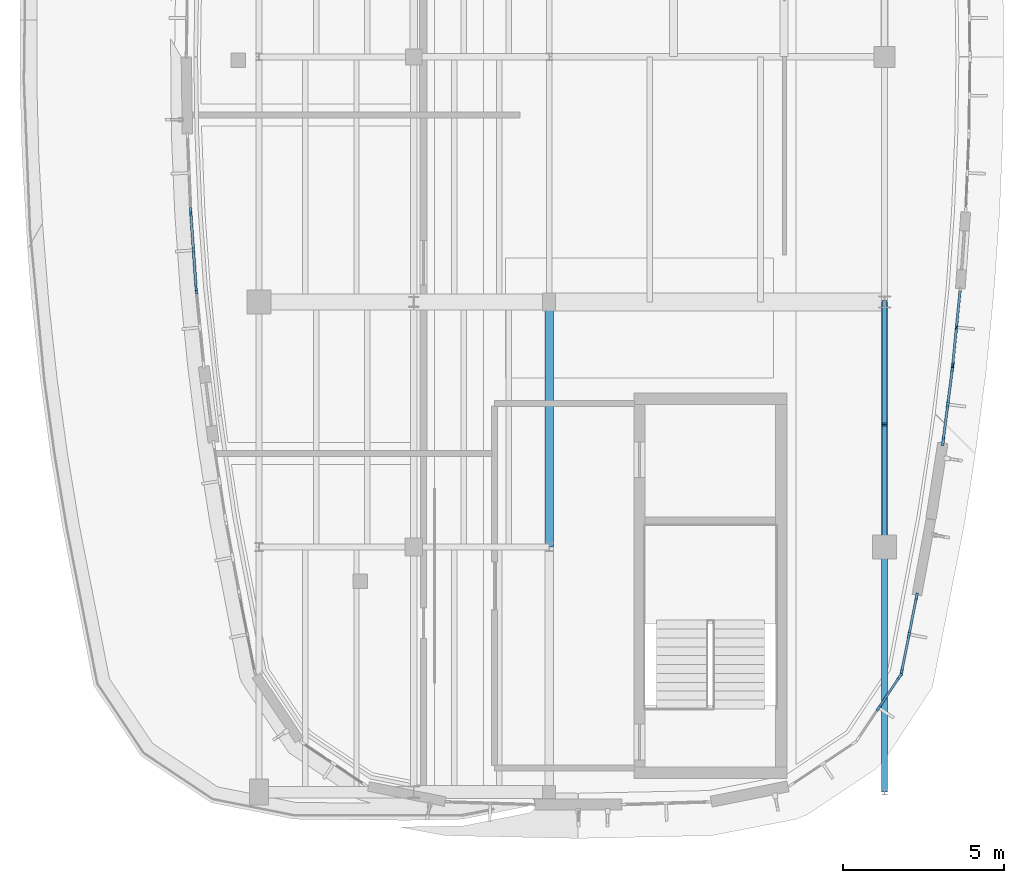
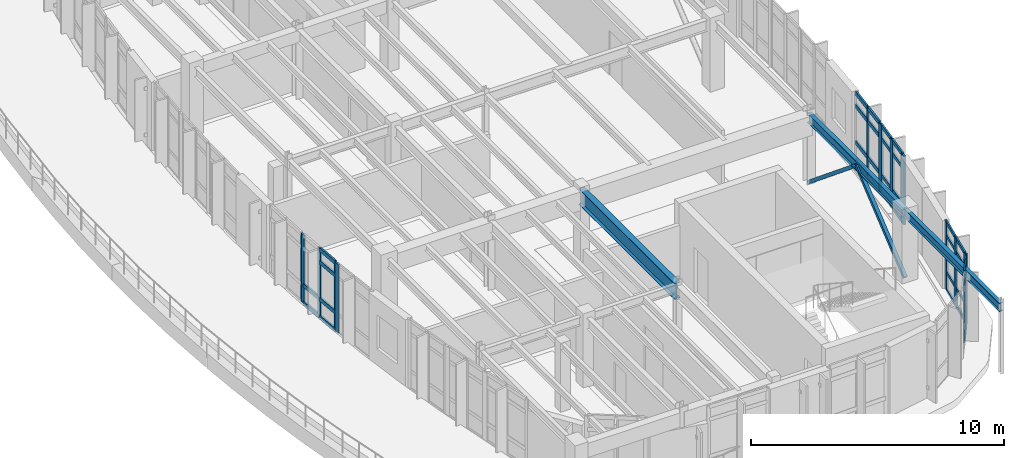
# One storey, part 6 of 20: 51 members, 3 beams, 7 elements without a shape of their own.
"""IFC4 building model written with IfcOpenShell, lengths in metres."""

from ifc_helpers import new_model, si_unit, direction, frame, origin, origin_2d, place, context, subcontext, project, spatial, rectangle, hollow_rectangle, i_section, extrude, material, material_profile, profile_set, type_object, element, aggregate, save


model = new_model("IFC4")

# Units and contexts
model_context = context("Model", 3, precision=1e-05, world=origin(), true_north=direction((0.0, 1.0)))
body_context = subcontext(model_context, "Body", "Model", "MODEL_VIEW")
ifc_project = project(units=[si_unit("LENGTHUNIT", "METRE"), si_unit("AREAUNIT", "SQUARE_METRE"), si_unit("VOLUMEUNIT", "CUBIC_METRE"), si_unit("PLANEANGLEUNIT", "RADIAN"), si_unit("MASSUNIT", "GRAM", prefix="KILO")], contexts=[model_context])

# Site, building, storey
site_placement = place(None, origin())
site = spatial("IfcSite", under=ifc_project, at=site_placement, CompositionType="ELEMENT")
building_placement = place(site_placement, origin())
building = spatial("IfcBuilding", under=site, at=building_placement, Name="Corveleigh Park Community Centre", CompositionType="ELEMENT")
storey_placement = place(building_placement, frame((0.0, 0.0, 16.199951171875)))
storey = spatial("IfcBuildingStorey", under=building, at=storey_placement, Name="L04", CompositionType="ELEMENT", Elevation=16.199951171875)

# Beams
ifc_material_1 = material(Name="Steel S355", Category="steel")
ifc_material_profile_1 = material_profile(ifc_material_1, i_section(OverallWidth=0.179443359375, OverallDepth=0.412841796875, WebThickness=0.009521484375, FlangeThickness=0.01611328125, at=origin_2d()), Name="UKB 406x178x74", Category="steel")
ifc_profile_set_1 = profile_set([ifc_material_profile_1], Name="Steel S355")
beam_type_1 = type_object("IfcBeamType", Name="BM-STL-UKB406x74", PredefinedType="BEAM", material=ifc_profile_set_1)
beam_1_placement = place(storey_placement, frame((168.39990234375, 58.60498046875, 3.16552734375), z_axis=(0.0, 1.0, 0.0), x_axis=(-1.0, 0.0, 0.0)))
element("IfcBeam", 1, at=beam_1_placement, inside=storey, type_object=beam_type_1, Name="V4 Girder Y", PredefinedType="BEAM", context=body_context, shape_type="SweptSolid", body=[
    extrude(i_section(OverallWidth=0.179443359375, OverallDepth=0.412841796875, WebThickness=0.009521484375, FlangeThickness=0.01611328125, at=origin_2d()), origin(), (0.0, 0.0, 1.0), 7.590087890625),
])
ifc_material_profile_2 = material_profile(ifc_material_1, i_section(OverallWidth=0.18994140625, OverallDepth=0.453369140625, WebThickness=0.008544921875, FlangeThickness=0.0126953125, at=origin_2d()), Name="UKB 457x191x67", Category="steel")
ifc_profile_set_2 = profile_set([ifc_material_profile_2], Name="Steel S355")
beam_type_2 = type_object("IfcBeamType", Name="BM-STL-UKB457x67", PredefinedType="BEAM", material=ifc_profile_set_2)
beam_2_placement = place(storey_placement, frame((168.39990234375, 66.205078125, 3.145263671875), z_axis=(0.0, 1.0, 0.0), x_axis=(-1.0, 0.0, 0.0)))
element("IfcBeam", 2, at=beam_2_placement, inside=storey, type_object=beam_type_2, Name="V4 Girder Y", PredefinedType="BEAM", context=body_context, shape_type="SweptSolid", body=[
    extrude(i_section(OverallWidth=0.18994140625, OverallDepth=0.453369140625, WebThickness=0.008544921875, FlangeThickness=0.0126953125, at=origin_2d()), origin(), (0.0, 0.0, 1.0), 7.58984375),
])
ifc_material_profile_3 = material_profile(ifc_material_1, i_section(OverallWidth=0.2666015625, OverallDepth=0.76220703125, WebThickness=0.014404296875, FlangeThickness=0.021484375, at=origin_2d()), Name="UKB 762x267x173", Category="steel")
ifc_profile_set_3 = profile_set([ifc_material_profile_3], Name="Steel S355")
beam_type_3 = type_object("IfcBeamType", Name="BM-STL-UKB762x173", PredefinedType="BEAM", material=ifc_profile_set_3)
beam_3_placement = place(storey_placement, frame((158.0, 66.205078125, 2.990966796875), z_axis=(0.0, 1.0, 0.0), x_axis=(-1.0, 0.0, 0.0)))
element("IfcBeam", 3, at=beam_3_placement, inside=storey, type_object=beam_type_3, Name="V4 Girder Y", PredefinedType="BEAM", context=body_context, shape_type="SweptSolid", body=[
    extrude(i_section(OverallWidth=0.2666015625, OverallDepth=0.76220703125, WebThickness=0.014404296875, FlangeThickness=0.021484375, at=origin_2d()), origin(), (0.0, 0.0, 1.0), 7.58984375),
])

# Curtain wall, members
ifc_material_2 = material(Name="Anodised aluminium 6063-T6", Category="aluminium")
curtain_wall_type = type_object("IfcCurtainWallType", Name="CW-SYS-V4-L03", PredefinedType="NOTDEFINED", material=ifc_material_2)
curtain_wall_1_placement = place(storey_placement, origin())
curtain_wall_1 = element("IfcCurtainWall", 4, at=curtain_wall_1_placement, inside=storey, type_object=curtain_wall_type, Name="V4 L04 Curtain Wall 445", PredefinedType="NOTDEFINED")
ifc_material_profile_4 = material_profile(ifc_material_2, rectangle(XDim=0.06005859375, YDim=0.159912109375, at=origin_2d()), Name="ALU-M60x160", Category="aluminium")
ifc_profile_set_4 = profile_set([ifc_material_profile_4], Name="Anodised aluminium 6063-T6")
member_type_1 = type_object("IfcMemberType", Name="CWM-60x160", PredefinedType="MULLION", material=ifc_profile_set_4)
member_1_placement = place(storey_placement, frame((170.6298828125, 73.010009765625, 0.0), z_axis=(0.0, 0.0, 1.0), x_axis=(0.995169228615, -0.098174367416, 0.0)))
member_1 = element("IfcMember", 5, at=member_1_placement, type_object=member_type_1, Name="CW09 mullion 2", PredefinedType="MULLION", context=body_context, shape_type="SweptSolid", body=[
    extrude(rectangle(XDim=0.06005859375, YDim=0.159912109375, at=origin_2d()), origin(), (0.0, 0.0, 1.0), 3.31201171875),
])
member_2_placement = place(storey_placement, frame((170.515869140625, 71.853759765625, 0.0), z_axis=(0.0, 0.0, 1.0), x_axis=(0.995169228615, -0.098174367416, 0.0)))
member_2 = element("IfcMember", 6, at=member_2_placement, type_object=member_type_1, Name="CW09 mullion 3", PredefinedType="MULLION", context=body_context, shape_type="SweptSolid", body=[
    extrude(rectangle(XDim=0.06005859375, YDim=0.159912109375, at=origin_2d()), origin(), (0.0, 0.0, 1.0), 3.31201171875),
])

# Curtain wall, member
curtain_wall_2_placement = place(storey_placement, origin())
curtain_wall_2 = element("IfcCurtainWall", 7, at=curtain_wall_2_placement, inside=storey, type_object=curtain_wall_type, Name="V4 L04 Curtain Wall 464", PredefinedType="NOTDEFINED")
ifc_material_profile_5 = material_profile(ifc_material_2, rectangle(XDim=0.06494140625, YDim=0.179931640625, at=origin_2d()), Name="ALU-M65x180", Category="aluminium")
ifc_profile_set_5 = profile_set([ifc_material_profile_5], Name="Anodised aluminium 6063-T6")
member_type_2 = type_object("IfcMemberType", Name="CWM-65x180", PredefinedType="MULLION", material=ifc_profile_set_5)
member_3_placement = place(storey_placement, frame((146.881591796875, 76.641357421875, 0.0), z_axis=(0.0, 0.0, 1.0), x_axis=(-0.99908366495, -0.042799888207, 0.0)))
member_3 = element("IfcMember", 8, at=member_3_placement, type_object=member_type_2, Name="CW09 mullion 1", PredefinedType="MULLION", context=body_context, shape_type="SweptSolid", body=[
    extrude(rectangle(XDim=0.06494140625, YDim=0.179931640625, at=origin_2d()), origin(), (0.0, 0.0, 1.0), 3.337158203125),
])
aggregate(curtain_wall_2, [member_3])

# Curtain wall, members
curtain_wall_3_placement = place(storey_placement, origin())
curtain_wall_3 = element("IfcCurtainWall", 9, at=curtain_wall_3_placement, inside=storey, type_object=curtain_wall_type, Name="V4 L04 Curtain Wall 465", PredefinedType="NOTDEFINED")
ifc_material_profile_6 = material_profile(ifc_material_2, rectangle(XDim=0.070068359375, YDim=0.199951171875, at=origin_2d()), Name="ALU-M70x200", Category="aluminium")
ifc_profile_set_6 = profile_set([ifc_material_profile_6], Name="Anodised aluminium 6063-T6")
member_type_3 = type_object("IfcMemberType", Name="CWM-70x200", PredefinedType="MULLION", material=ifc_profile_set_6)
member_4_placement = place(storey_placement, frame((147.048583984375, 74.2490234375, 0.0), z_axis=(0.0, 0.0, 1.0), x_axis=(-0.997541102344, -0.070083872142, 0.0)))
member_4 = element("IfcMember", 10, at=member_4_placement, type_object=member_type_3, Name="CW09 mullion 1", PredefinedType="MULLION", context=body_context, shape_type="SweptSolid", body=[
    extrude(rectangle(XDim=0.070068359375, YDim=0.199951171875, at=origin_2d()), origin(), (0.0, 0.0, 1.0), 3.337158203125),
])
member_5_placement = place(storey_placement, frame((146.967529296875, 75.402587890625, 0.0), z_axis=(0.0, 0.0, 1.0), x_axis=(-0.997541102344, -0.070083872142, 0.0)))
member_5 = element("IfcMember", 11, at=member_5_placement, type_object=member_type_3, Name="CW09 mullion 2", PredefinedType="MULLION", context=body_context, shape_type="SweptSolid", body=[
    extrude(rectangle(XDim=0.070068359375, YDim=0.199951171875, at=origin_2d()), origin(), (0.0, 0.0, 1.0), 3.337158203125),
])
member_6_placement = place(storey_placement, frame((146.886474609375, 76.55615234375, 0.0), z_axis=(0.0, 0.0, 1.0), x_axis=(-0.997541102344, -0.070083872142, 0.0)))
member_6 = element("IfcMember", 12, at=member_6_placement, type_object=member_type_3, Name="CW09 mullion 3", PredefinedType="MULLION", context=body_context, shape_type="SweptSolid", body=[
    extrude(rectangle(XDim=0.070068359375, YDim=0.199951171875, at=origin_2d()), origin(), (0.0, 0.0, 1.0), 3.337158203125),
])

curtain_wall_4_placement = place(storey_placement, origin())
curtain_wall_4 = element("IfcCurtainWall", 13, at=curtain_wall_4_placement, inside=storey, type_object=curtain_wall_type, Name="V4 L04 Curtain Wall 442", PredefinedType="NOTDEFINED")
ifc_material_profile_7 = material_profile(ifc_material_2, rectangle(XDim=0.074951171875, YDim=0.219970703125, at=origin_2d()), Name="ALU-M75x220", Category="aluminium")
ifc_profile_set_7 = profile_set([ifc_material_profile_7], Name="Anodised aluminium 6063-T6")
member_type_4 = type_object("IfcMemberType", Name="CWM-75x220", PredefinedType="MULLION", material=ifc_profile_set_7)
member_7_placement = place(storey_placement, frame((168.8671875, 62.182861328125, 0.0), z_axis=(0.0, 0.0, 1.0), x_axis=(0.83141083453, -0.555658190101, 0.0)))
member_7 = element("IfcMember", 14, at=member_7_placement, type_object=member_type_4, Name="CW09 mullion 1", PredefinedType="MULLION", context=body_context, shape_type="SweptSolid", body=[
    extrude(rectangle(XDim=0.074951171875, YDim=0.219970703125, at=origin_2d()), origin(), (0.0, 0.0, 1.0), 3.3720703125),
])
member_8_placement = place(storey_placement, frame((168.218994140625, 61.212890625, 0.0), z_axis=(0.0, 0.0, 1.0), x_axis=(0.83141083453, -0.555658190101, 0.0)))
member_8 = element("IfcMember", 15, at=member_8_placement, type_object=member_type_4, Name="CW09 mullion 2", PredefinedType="MULLION", context=body_context, shape_type="SweptSolid", body=[
    extrude(rectangle(XDim=0.074951171875, YDim=0.219970703125, at=origin_2d()), origin(), (0.0, 0.0, 1.0), 3.3720703125),
])

# Curtain wall, member
curtain_wall_5_placement = place(storey_placement, origin())
curtain_wall_5 = element("IfcCurtainWall", 16, at=curtain_wall_5_placement, inside=storey, type_object=curtain_wall_type, Name="V4 L04 Curtain Wall 466", PredefinedType="NOTDEFINED")
member_9_placement = place(storey_placement, frame((147.056640625, 74.15869140625, 0.0), z_axis=(0.0, 0.0, 1.0), x_axis=(-0.995169228615, -0.098174367416, 0.0)))
member_9 = element("IfcMember", 17, at=member_9_placement, type_object=member_type_4, Name="CW09 mullion 3", PredefinedType="MULLION", context=body_context, shape_type="SweptSolid", body=[
    extrude(rectangle(XDim=0.074951171875, YDim=0.219970703125, at=origin_2d()), origin(), (0.0, 0.0, 1.0), 3.337158203125),
])
aggregate(curtain_wall_5, [member_9])

# Curtain wall, members
curtain_wall_6_placement = place(storey_placement, origin())
curtain_wall_6 = element("IfcCurtainWall", 18, at=curtain_wall_6_placement, inside=storey, type_object=curtain_wall_type, Name="V4 L04 Curtain Wall 443", PredefinedType="NOTDEFINED")
ifc_material_profile_8 = material_profile(ifc_material_2, rectangle(XDim=0.080078125, YDim=0.25, at=origin_2d()), Name="ALU-M80x250", Category="aluminium")
ifc_profile_set_8 = profile_set([ifc_material_profile_8], Name="Anodised aluminium 6063-T6")
member_type_5 = type_object("IfcMemberType", Name="CWM-80x250", PredefinedType="MULLION", material=ifc_profile_set_8)
member_10_placement = place(storey_placement, frame((169.39111328125, 64.65380859375, 0.0), z_axis=(0.0, 0.0, 1.0), x_axis=(0.980784643134, -0.195093525756, 0.0)))
member_10 = element("IfcMember", 19, at=member_10_placement, type_object=member_type_5, Name="CW09 mullion 1", PredefinedType="MULLION", context=body_context, shape_type="SweptSolid", body=[
    extrude(rectangle(XDim=0.080078125, YDim=0.25, at=origin_2d()), origin(), (0.0, 0.0, 1.0), 3.31201171875),
])
member_11_placement = place(storey_placement, frame((169.160400390625, 63.493896484375, 0.0), z_axis=(0.0, 0.0, 1.0), x_axis=(0.980784643134, -0.195093525756, 0.0)))
member_11 = element("IfcMember", 20, at=member_11_placement, type_object=member_type_5, Name="CW09 mullion 2", PredefinedType="MULLION", context=body_context, shape_type="SweptSolid", body=[
    extrude(rectangle(XDim=0.080078125, YDim=0.25, at=origin_2d()), origin(), (0.0, 0.0, 1.0), 3.31201171875),
])
member_12_placement = place(storey_placement, frame((168.9296875, 62.334228515625, 0.0), z_axis=(0.0, 0.0, 1.0), x_axis=(0.980784643134, -0.195093525756, 0.0)))
member_12 = element("IfcMember", 21, at=member_12_placement, type_object=member_type_5, Name="CW09 mullion 3", PredefinedType="MULLION", context=body_context, shape_type="SweptSolid", body=[
    extrude(rectangle(XDim=0.080078125, YDim=0.25, at=origin_2d()), origin(), (0.0, 0.0, 1.0), 3.31201171875),
])

curtain_wall_7_placement = place(storey_placement, origin())
curtain_wall_7 = element("IfcCurtainWall", 22, at=curtain_wall_7_placement, inside=storey, type_object=curtain_wall_type, Name="V4 L04 Curtain Wall 444", PredefinedType="NOTDEFINED")
ifc_material_profile_9 = material_profile(ifc_material_2, rectangle(XDim=0.0849609375, YDim=0.27490234375, at=origin_2d()), Name="ALU-M85x275", Category="aluminium")
ifc_profile_set_9 = profile_set([ifc_material_profile_9], Name="Anodised aluminium 6063-T6")
member_type_6 = type_object("IfcMemberType", Name="CWM-85x275", PredefinedType="MULLION", material=ifc_profile_set_9)
member_13_placement = place(storey_placement, frame((170.505615234375, 71.763916015625, 0.0), z_axis=(0.0, 0.0, 1.0), x_axis=(0.991938561413, -0.126719731618, 0.0)))
member_13 = element("IfcMember", 23, at=member_13_placement, type_object=member_type_6, Name="CW09 mullion 1", PredefinedType="MULLION", context=body_context, shape_type="SweptSolid", body=[
    extrude(rectangle(XDim=0.0849609375, YDim=0.27490234375, at=origin_2d()), origin(), (0.0, 0.0, 1.0), 3.31201171875),
])
member_14_placement = place(storey_placement, frame((170.360107421875, 70.6240234375, 0.0), z_axis=(0.0, 0.0, 1.0), x_axis=(0.991938561413, -0.126719731618, 0.0)))
member_14 = element("IfcMember", 24, at=member_14_placement, type_object=member_type_6, Name="CW09 mullion 2", PredefinedType="MULLION", context=body_context, shape_type="SweptSolid", body=[
    extrude(rectangle(XDim=0.0849609375, YDim=0.27490234375, at=origin_2d()), origin(), (0.0, 0.0, 1.0), 3.31201171875),
])
member_15_placement = place(storey_placement, frame((170.21435546875, 69.484130859375, 0.0), z_axis=(0.0, 0.0, 1.0), x_axis=(0.991938561413, -0.126719731618, 0.0)))
member_15 = element("IfcMember", 25, at=member_15_placement, type_object=member_type_6, Name="CW09 mullion 3", PredefinedType="MULLION", context=body_context, shape_type="SweptSolid", body=[
    extrude(rectangle(XDim=0.0849609375, YDim=0.27490234375, at=origin_2d()), origin(), (0.0, 0.0, 1.0), 3.31201171875),
])

# Member
ifc_material_profile_10 = material_profile(ifc_material_2, rectangle(XDim=0.06494140625, YDim=0.139892578125, at=origin_2d()), Name="ALU-T65x140", Category="aluminium")
ifc_profile_set_10 = profile_set([ifc_material_profile_10], Name="Anodised aluminium 6063-T6")
member_type_7 = type_object("IfcMemberType", Name="CWT-65x140", PredefinedType="USERDEFINED", material=ifc_profile_set_10)
member_16_placement = place(storey_placement, frame((168.846435546875, 62.151611328125, 0.032470703125), z_axis=(-0.555783593923, -0.831327009501, 0.0), x_axis=(0.831327009501, -0.555783593923, 0.0)))
member_16 = element("IfcMember", 26, at=member_16_placement, type_object=member_type_7, Name="CW09 transom 1.1", ObjectType="TRANSOM", PredefinedType="USERDEFINED", context=body_context, shape_type="SweptSolid", body=[
    extrude(rectangle(XDim=0.06494140625, YDim=0.139892578125, at=origin_2d()), origin(), (0.0, 0.0, 1.0), 1.091552734375),
])

member_17_placement = place(storey_placement, frame((168.846435546875, 62.151611328125, 0.900146484375), z_axis=(-0.555783593923, -0.831327009501, 0.0), x_axis=(0.831327009501, -0.555783593923, 0.0)))
member_17 = element("IfcMember", 27, at=member_17_placement, type_object=member_type_7, Name="CW09 transom 1.2", ObjectType="TRANSOM", PredefinedType="USERDEFINED", context=body_context, shape_type="SweptSolid", body=[
    extrude(rectangle(XDim=0.06494140625, YDim=0.139892578125, at=origin_2d()), origin(), (0.0, 0.0, 1.0), 1.091552734375),
])

member_18_placement = place(storey_placement, frame((168.846435546875, 62.151611328125, 2.72216796875), z_axis=(-0.555783593923, -0.831327009501, 0.0), x_axis=(0.831327009501, -0.555783593923, 0.0)))
member_18 = element("IfcMember", 28, at=member_18_placement, type_object=member_type_7, Name="CW09 transom 1.3", ObjectType="TRANSOM", PredefinedType="USERDEFINED", context=body_context, shape_type="SweptSolid", body=[
    extrude(rectangle(XDim=0.06494140625, YDim=0.139892578125, at=origin_2d()), origin(), (0.0, 0.0, 1.0), 1.091552734375),
])

member_19_placement = place(storey_placement, frame((168.846435546875, 62.151611328125, 3.339599609375), z_axis=(-0.555783593923, -0.831327009501, 0.0), x_axis=(0.831327009501, -0.555783593923, 0.0)))
member_19 = element("IfcMember", 29, at=member_19_placement, type_object=member_type_7, Name="CW09 transom 1.4", ObjectType="TRANSOM", PredefinedType="USERDEFINED", context=body_context, shape_type="SweptSolid", body=[
    extrude(rectangle(XDim=0.06494140625, YDim=0.139892578125, at=origin_2d()), origin(), (0.0, 0.0, 1.0), 1.091552734375),
])

aggregate(curtain_wall_4, [member_7, member_8, member_16, member_17, member_18, member_19])

ifc_material_profile_11 = material_profile(ifc_material_2, rectangle(XDim=0.070068359375, YDim=0.155029296875, at=origin_2d()), Name="ALU-T70x155", Category="aluminium")
ifc_profile_set_11 = profile_set([ifc_material_profile_11], Name="Anodised aluminium 6063-T6")
member_type_8 = type_object("IfcMemberType", Name="CWT-70x155", PredefinedType="USERDEFINED", material=ifc_profile_set_11)
member_20_placement = place(storey_placement, frame((169.38330078125, 64.614501953125, 0.03515625), z_axis=(-0.195093969917, -0.980784554783, 0.0), x_axis=(0.980784554783, -0.195093969917, 0.0)))
member_20 = element("IfcMember", 30, at=member_20_placement, type_object=member_type_8, Name="CW09 transom 1.1", ObjectType="TRANSOM", PredefinedType="USERDEFINED", context=body_context, shape_type="SweptSolid", body=[
    extrude(rectangle(XDim=0.070068359375, YDim=0.155029296875, at=origin_2d()), origin(), (0.0, 0.0, 1.0), 1.1025390625),
])

member_21_placement = place(storey_placement, frame((169.38330078125, 64.614501953125, 0.900146484375), z_axis=(-0.195093969917, -0.980784554783, 0.0), x_axis=(0.980784554783, -0.195093969917, 0.0)))
member_21 = element("IfcMember", 31, at=member_21_placement, type_object=member_type_8, Name="CW09 transom 1.2", ObjectType="TRANSOM", PredefinedType="USERDEFINED", context=body_context, shape_type="SweptSolid", body=[
    extrude(rectangle(XDim=0.070068359375, YDim=0.155029296875, at=origin_2d()), origin(), (0.0, 0.0, 1.0), 1.1025390625),
])

member_22_placement = place(storey_placement, frame((169.38330078125, 64.614501953125, 2.662109375), z_axis=(-0.195093969917, -0.980784554783, 0.0), x_axis=(0.980784554783, -0.195093969917, 0.0)))
member_22 = element("IfcMember", 32, at=member_22_placement, type_object=member_type_8, Name="CW09 transom 1.3", ObjectType="TRANSOM", PredefinedType="USERDEFINED", context=body_context, shape_type="SweptSolid", body=[
    extrude(rectangle(XDim=0.070068359375, YDim=0.155029296875, at=origin_2d()), origin(), (0.0, 0.0, 1.0), 1.1025390625),
])

member_23_placement = place(storey_placement, frame((169.38330078125, 64.614501953125, 3.277099609375), z_axis=(-0.195093969917, -0.980784554783, 0.0), x_axis=(0.980784554783, -0.195093969917, 0.0)))
member_23 = element("IfcMember", 33, at=member_23_placement, type_object=member_type_8, Name="CW09 transom 1.4", ObjectType="TRANSOM", PredefinedType="USERDEFINED", context=body_context, shape_type="SweptSolid", body=[
    extrude(rectangle(XDim=0.070068359375, YDim=0.155029296875, at=origin_2d()), origin(), (0.0, 0.0, 1.0), 1.1025390625),
])

member_24_placement = place(storey_placement, frame((169.152587890625, 63.454833984375, 0.03515625), z_axis=(-0.195093969917, -0.980784554783, 0.0), x_axis=(0.980784554783, -0.195093969917, 0.0)))
member_24 = element("IfcMember", 34, at=member_24_placement, type_object=member_type_8, Name="CW09 transom 2.1", ObjectType="TRANSOM", PredefinedType="USERDEFINED", context=body_context, shape_type="SweptSolid", body=[
    extrude(rectangle(XDim=0.070068359375, YDim=0.155029296875, at=origin_2d()), origin(), (0.0, 0.0, 1.0), 1.1025390625),
])

member_25_placement = place(storey_placement, frame((169.152587890625, 63.454833984375, 0.900146484375), z_axis=(-0.195093969917, -0.980784554783, 0.0), x_axis=(0.980784554783, -0.195093969917, 0.0)))
member_25 = element("IfcMember", 35, at=member_25_placement, type_object=member_type_8, Name="CW09 transom 2.2", ObjectType="TRANSOM", PredefinedType="USERDEFINED", context=body_context, shape_type="SweptSolid", body=[
    extrude(rectangle(XDim=0.070068359375, YDim=0.155029296875, at=origin_2d()), origin(), (0.0, 0.0, 1.0), 1.1025390625),
])

member_26_placement = place(storey_placement, frame((169.152587890625, 63.454833984375, 2.662109375), z_axis=(-0.195093969917, -0.980784554783, 0.0), x_axis=(0.980784554783, -0.195093969917, 0.0)))
member_26 = element("IfcMember", 36, at=member_26_placement, type_object=member_type_8, Name="CW09 transom 2.3", ObjectType="TRANSOM", PredefinedType="USERDEFINED", context=body_context, shape_type="SweptSolid", body=[
    extrude(rectangle(XDim=0.070068359375, YDim=0.155029296875, at=origin_2d()), origin(), (0.0, 0.0, 1.0), 1.1025390625),
])

member_27_placement = place(storey_placement, frame((169.152587890625, 63.454833984375, 3.277099609375), z_axis=(-0.195093969917, -0.980784554783, 0.0), x_axis=(0.980784554783, -0.195093969917, 0.0)))
member_27 = element("IfcMember", 37, at=member_27_placement, type_object=member_type_8, Name="CW09 transom 2.4", ObjectType="TRANSOM", PredefinedType="USERDEFINED", context=body_context, shape_type="SweptSolid", body=[
    extrude(rectangle(XDim=0.070068359375, YDim=0.155029296875, at=origin_2d()), origin(), (0.0, 0.0, 1.0), 1.1025390625),
])

aggregate(curtain_wall_6, [member_10, member_11, member_12, member_20, member_21, member_22, member_23, member_24, member_25, member_26, member_27])

ifc_material_profile_12 = material_profile(ifc_material_2, rectangle(XDim=0.074951171875, YDim=0.175048828125, at=origin_2d()), Name="ALU-T75x175", Category="aluminium")
ifc_profile_set_12 = profile_set([ifc_material_profile_12], Name="Anodised aluminium 6063-T6")
member_type_9 = type_object("IfcMemberType", Name="CWT-75x175", PredefinedType="USERDEFINED", material=ifc_profile_set_12)
member_28_placement = place(storey_placement, frame((170.500244140625, 71.7216796875, 0.03759765625), z_axis=(-0.126660709467, -0.991946099684, 0.0), x_axis=(0.991946099684, -0.126660709467, 0.0)))
member_28 = element("IfcMember", 38, at=member_28_placement, type_object=member_type_9, Name="CW09 transom 1.1", ObjectType="TRANSOM", PredefinedType="USERDEFINED", context=body_context, shape_type="SweptSolid", body=[
    extrude(rectangle(XDim=0.074951171875, YDim=0.175048828125, at=origin_2d()), origin(), (0.0, 0.0, 1.0), 1.06396484375),
])

member_29_placement = place(storey_placement, frame((170.500244140625, 71.7216796875, 0.900146484375), z_axis=(-0.126660709467, -0.991946099684, 0.0), x_axis=(0.991946099684, -0.126660709467, 0.0)))
member_29 = element("IfcMember", 39, at=member_29_placement, type_object=member_type_9, Name="CW09 transom 1.2", ObjectType="TRANSOM", PredefinedType="USERDEFINED", context=body_context, shape_type="SweptSolid", body=[
    extrude(rectangle(XDim=0.074951171875, YDim=0.175048828125, at=origin_2d()), origin(), (0.0, 0.0, 1.0), 1.06396484375),
])

member_30_placement = place(storey_placement, frame((170.500244140625, 71.7216796875, 2.662109375), z_axis=(-0.126660709467, -0.991946099684, 0.0), x_axis=(0.991946099684, -0.126660709467, 0.0)))
member_30 = element("IfcMember", 40, at=member_30_placement, type_object=member_type_9, Name="CW09 transom 1.3", ObjectType="TRANSOM", PredefinedType="USERDEFINED", context=body_context, shape_type="SweptSolid", body=[
    extrude(rectangle(XDim=0.074951171875, YDim=0.175048828125, at=origin_2d()), origin(), (0.0, 0.0, 1.0), 1.06396484375),
])

member_31_placement = place(storey_placement, frame((170.500244140625, 71.7216796875, 3.274658203125), z_axis=(-0.126660709467, -0.991946099684, 0.0), x_axis=(0.991946099684, -0.126660709467, 0.0)))
member_31 = element("IfcMember", 41, at=member_31_placement, type_object=member_type_9, Name="CW09 transom 1.4", ObjectType="TRANSOM", PredefinedType="USERDEFINED", context=body_context, shape_type="SweptSolid", body=[
    extrude(rectangle(XDim=0.074951171875, YDim=0.175048828125, at=origin_2d()), origin(), (0.0, 0.0, 1.0), 1.06396484375),
])

member_32_placement = place(storey_placement, frame((170.354736328125, 70.581787109375, 0.03759765625), z_axis=(-0.126886476249, -0.991917245613, 0.0), x_axis=(0.991917245613, -0.126886476249, 0.0)))
member_32 = element("IfcMember", 42, at=member_32_placement, type_object=member_type_9, Name="CW09 transom 2.1", ObjectType="TRANSOM", PredefinedType="USERDEFINED", context=body_context, shape_type="SweptSolid", body=[
    extrude(rectangle(XDim=0.074951171875, YDim=0.175048828125, at=origin_2d()), origin(), (0.0, 0.0, 1.0), 1.06396484375),
])

member_33_placement = place(storey_placement, frame((170.354736328125, 70.581787109375, 0.900146484375), z_axis=(-0.126886476249, -0.991917245613, 0.0), x_axis=(0.991917245613, -0.126886476249, 0.0)))
member_33 = element("IfcMember", 43, at=member_33_placement, type_object=member_type_9, Name="CW09 transom 2.2", ObjectType="TRANSOM", PredefinedType="USERDEFINED", context=body_context, shape_type="SweptSolid", body=[
    extrude(rectangle(XDim=0.074951171875, YDim=0.175048828125, at=origin_2d()), origin(), (0.0, 0.0, 1.0), 1.06396484375),
])

member_34_placement = place(storey_placement, frame((170.354736328125, 70.581787109375, 2.662109375), z_axis=(-0.126886476249, -0.991917245613, 0.0), x_axis=(0.991917245613, -0.126886476249, 0.0)))
member_34 = element("IfcMember", 44, at=member_34_placement, type_object=member_type_9, Name="CW09 transom 2.3", ObjectType="TRANSOM", PredefinedType="USERDEFINED", context=body_context, shape_type="SweptSolid", body=[
    extrude(rectangle(XDim=0.074951171875, YDim=0.175048828125, at=origin_2d()), origin(), (0.0, 0.0, 1.0), 1.06396484375),
])

member_35_placement = place(storey_placement, frame((170.354736328125, 70.581787109375, 3.274658203125), z_axis=(-0.126886476249, -0.991917245613, 0.0), x_axis=(0.991917245613, -0.126886476249, 0.0)))
member_35 = element("IfcMember", 45, at=member_35_placement, type_object=member_type_9, Name="CW09 transom 2.4", ObjectType="TRANSOM", PredefinedType="USERDEFINED", context=body_context, shape_type="SweptSolid", body=[
    extrude(rectangle(XDim=0.074951171875, YDim=0.175048828125, at=origin_2d()), origin(), (0.0, 0.0, 1.0), 1.06396484375),
])

aggregate(curtain_wall_7, [member_13, member_14, member_15, member_28, member_29, member_30, member_31, member_32, member_33, member_34, member_35])

ifc_material_profile_13 = material_profile(ifc_material_2, rectangle(XDim=0.080078125, YDim=0.195068359375, at=origin_2d()), Name="ALU-T80x195", Category="aluminium")
ifc_profile_set_13 = profile_set([ifc_material_profile_13], Name="Anodised aluminium 6063-T6")
member_type_10 = type_object("IfcMemberType", Name="CWT-80x195", PredefinedType="USERDEFINED", material=ifc_profile_set_13)
member_36_placement = place(storey_placement, frame((170.7412109375, 74.13623046875, 0.0400390625), z_axis=(-0.098165300491, -0.995170123034, 0.0), x_axis=(0.995170123034, -0.098165300491, 0.0)))
member_36 = element("IfcMember", 46, at=member_36_placement, type_object=member_type_10, Name="CW09 transom 1.1", ObjectType="TRANSOM", PredefinedType="USERDEFINED", context=body_context, shape_type="SweptSolid", body=[
    extrude(rectangle(XDim=0.080078125, YDim=0.195068359375, at=origin_2d()), origin(), (0.0, 0.0, 1.0), 1.101806640625),
])

member_37_placement = place(storey_placement, frame((170.7412109375, 74.13623046875, 0.900146484375), z_axis=(-0.098165300491, -0.995170123034, 0.0), x_axis=(0.995170123034, -0.098165300491, 0.0)))
member_37 = element("IfcMember", 47, at=member_37_placement, type_object=member_type_10, Name="CW09 transom 1.2", ObjectType="TRANSOM", PredefinedType="USERDEFINED", context=body_context, shape_type="SweptSolid", body=[
    extrude(rectangle(XDim=0.080078125, YDim=0.195068359375, at=origin_2d()), origin(), (0.0, 0.0, 1.0), 1.101806640625),
])

member_38_placement = place(storey_placement, frame((170.7412109375, 74.13623046875, 2.662109375), z_axis=(-0.098165300491, -0.995170123034, 0.0), x_axis=(0.995170123034, -0.098165300491, 0.0)))
member_38 = element("IfcMember", 48, at=member_38_placement, type_object=member_type_10, Name="CW09 transom 1.3", ObjectType="TRANSOM", PredefinedType="USERDEFINED", context=body_context, shape_type="SweptSolid", body=[
    extrude(rectangle(XDim=0.080078125, YDim=0.195068359375, at=origin_2d()), origin(), (0.0, 0.0, 1.0), 1.101806640625),
])

member_39_placement = place(storey_placement, frame((170.7412109375, 74.13623046875, 3.27197265625), z_axis=(-0.098165300491, -0.995170123034, 0.0), x_axis=(0.995170123034, -0.098165300491, 0.0)))
member_39 = element("IfcMember", 49, at=member_39_placement, type_object=member_type_10, Name="CW09 transom 1.4", ObjectType="TRANSOM", PredefinedType="USERDEFINED", context=body_context, shape_type="SweptSolid", body=[
    extrude(rectangle(XDim=0.080078125, YDim=0.195068359375, at=origin_2d()), origin(), (0.0, 0.0, 1.0), 1.101806640625),
])

member_40_placement = place(storey_placement, frame((170.626953125, 72.980224609375, 0.0400390625), z_axis=(-0.098165300491, -0.995170123034, 0.0), x_axis=(0.995170123034, -0.098165300491, 0.0)))
member_40 = element("IfcMember", 50, at=member_40_placement, type_object=member_type_10, Name="CW09 transom 2.1", ObjectType="TRANSOM", PredefinedType="USERDEFINED", context=body_context, shape_type="SweptSolid", body=[
    extrude(rectangle(XDim=0.080078125, YDim=0.195068359375, at=origin_2d()), origin(), (0.0, 0.0, 1.0), 1.101806640625),
])

member_41_placement = place(storey_placement, frame((170.626953125, 72.980224609375, 0.900146484375), z_axis=(-0.098165300491, -0.995170123034, 0.0), x_axis=(0.995170123034, -0.098165300491, 0.0)))
member_41 = element("IfcMember", 51, at=member_41_placement, type_object=member_type_10, Name="CW09 transom 2.2", ObjectType="TRANSOM", PredefinedType="USERDEFINED", context=body_context, shape_type="SweptSolid", body=[
    extrude(rectangle(XDim=0.080078125, YDim=0.195068359375, at=origin_2d()), origin(), (0.0, 0.0, 1.0), 1.101806640625),
])

member_42_placement = place(storey_placement, frame((170.626953125, 72.980224609375, 2.662109375), z_axis=(-0.098165300491, -0.995170123034, 0.0), x_axis=(0.995170123034, -0.098165300491, 0.0)))
member_42 = element("IfcMember", 52, at=member_42_placement, type_object=member_type_10, Name="CW09 transom 2.3", ObjectType="TRANSOM", PredefinedType="USERDEFINED", context=body_context, shape_type="SweptSolid", body=[
    extrude(rectangle(XDim=0.080078125, YDim=0.195068359375, at=origin_2d()), origin(), (0.0, 0.0, 1.0), 1.101806640625),
])

member_43_placement = place(storey_placement, frame((170.626953125, 72.980224609375, 3.27197265625), z_axis=(-0.098165300491, -0.995170123034, 0.0), x_axis=(0.995170123034, -0.098165300491, 0.0)))
member_43 = element("IfcMember", 53, at=member_43_placement, type_object=member_type_10, Name="CW09 transom 2.4", ObjectType="TRANSOM", PredefinedType="USERDEFINED", context=body_context, shape_type="SweptSolid", body=[
    extrude(rectangle(XDim=0.080078125, YDim=0.195068359375, at=origin_2d()), origin(), (0.0, 0.0, 1.0), 1.101806640625),
])

aggregate(curtain_wall_1, [member_1, member_2, member_36, member_37, member_38, member_39, member_40, member_41, member_42, member_43])

member_44_placement = place(storey_placement, frame((147.046142578125, 74.283935546875, 0.0400390625), z_axis=(-0.07011312964, 0.99753904638, 0.0), x_axis=(-0.99753904638, -0.07011312964, 0.0)))
member_44 = element("IfcMember", 54, at=member_44_placement, type_object=member_type_10, Name="CW09 transom 1.1", ObjectType="TRANSOM", PredefinedType="USERDEFINED", context=body_context, shape_type="SweptSolid", body=[
    extrude(rectangle(XDim=0.080078125, YDim=0.195068359375, at=origin_2d()), origin(), (0.0, 0.0, 1.0), 1.08642578125),
])

member_45_placement = place(storey_placement, frame((147.046142578125, 74.283935546875, 0.900146484375), z_axis=(-0.07011312964, 0.99753904638, 0.0), x_axis=(-0.99753904638, -0.07011312964, 0.0)))
member_45 = element("IfcMember", 55, at=member_45_placement, type_object=member_type_10, Name="CW09 transom 1.2", ObjectType="TRANSOM", PredefinedType="USERDEFINED", context=body_context, shape_type="SweptSolid", body=[
    extrude(rectangle(XDim=0.080078125, YDim=0.195068359375, at=origin_2d()), origin(), (0.0, 0.0, 1.0), 1.08642578125),
])

member_46_placement = place(storey_placement, frame((147.046142578125, 74.283935546875, 2.68701171875), z_axis=(-0.07011312964, 0.99753904638, 0.0), x_axis=(-0.99753904638, -0.07011312964, 0.0)))
member_46 = element("IfcMember", 56, at=member_46_placement, type_object=member_type_10, Name="CW09 transom 1.3", ObjectType="TRANSOM", PredefinedType="USERDEFINED", context=body_context, shape_type="SweptSolid", body=[
    extrude(rectangle(XDim=0.080078125, YDim=0.195068359375, at=origin_2d()), origin(), (0.0, 0.0, 1.0), 1.08642578125),
])

member_47_placement = place(storey_placement, frame((147.046142578125, 74.283935546875, 3.297119140625), z_axis=(-0.07011312964, 0.99753904638, 0.0), x_axis=(-0.99753904638, -0.07011312964, 0.0)))
member_47 = element("IfcMember", 57, at=member_47_placement, type_object=member_type_10, Name="CW09 transom 1.4", ObjectType="TRANSOM", PredefinedType="USERDEFINED", context=body_context, shape_type="SweptSolid", body=[
    extrude(rectangle(XDim=0.080078125, YDim=0.195068359375, at=origin_2d()), origin(), (0.0, 0.0, 1.0), 1.08642578125),
])

member_48_placement = place(storey_placement, frame((146.965087890625, 75.4375, 0.0400390625), z_axis=(-0.07011312964, 0.99753904638, 0.0), x_axis=(-0.99753904638, -0.07011312964, 0.0)))
member_48 = element("IfcMember", 58, at=member_48_placement, type_object=member_type_10, Name="CW09 transom 2.1", ObjectType="TRANSOM", PredefinedType="USERDEFINED", context=body_context, shape_type="SweptSolid", body=[
    extrude(rectangle(XDim=0.080078125, YDim=0.195068359375, at=origin_2d()), origin(), (0.0, 0.0, 1.0), 1.08642578125),
])

member_49_placement = place(storey_placement, frame((146.965087890625, 75.4375, 0.900146484375), z_axis=(-0.07011312964, 0.99753904638, 0.0), x_axis=(-0.99753904638, -0.07011312964, 0.0)))
member_49 = element("IfcMember", 59, at=member_49_placement, type_object=member_type_10, Name="CW09 transom 2.2", ObjectType="TRANSOM", PredefinedType="USERDEFINED", context=body_context, shape_type="SweptSolid", body=[
    extrude(rectangle(XDim=0.080078125, YDim=0.195068359375, at=origin_2d()), origin(), (0.0, 0.0, 1.0), 1.08642578125),
])

aggregate(curtain_wall_3, [member_4, member_5, member_6, member_44, member_45, member_46, member_47, member_48, member_49])

# Members
ifc_material_profile_14 = material_profile(ifc_material_1, hollow_rectangle(XDim=0.159912109375, YDim=0.159912109375, WallThickness=0.010009765625, at=origin_2d()), Name="SHS 160x160x10.0", Category="steel")
ifc_profile_set_14 = profile_set([ifc_material_profile_14], Name="Steel S355")
member_type_11 = type_object("IfcMemberType", Name="MEM-BRC-SHS160", PredefinedType="BRACE", material=ifc_profile_set_14)
for number, where, z_axis, x_axis, name in (
    (60, (168.39990234375, 66.199951171875, 0.0), (0.0, 0.772666250552, 0.634812464636), (-1.0, 0.0, 0.0), "Spine chevron brace"),
    (61, (168.39990234375, 73.800048828125, 0.0), (0.0, -0.772666250552, 0.634812464636), (1.0, 0.0, 0.0), "Spine chevron brace"),
):
    element("IfcMember", number, at=place(storey_placement, frame(where, z_axis=z_axis, x_axis=x_axis)), inside=storey, type_object=member_type_11, Name=name, PredefinedType="BRACE", context=body_context, shape_type="SweptSolid", body=[
        extrude(hollow_rectangle(XDim=0.159912109375, YDim=0.159912109375, WallThickness=0.010009765625, at=origin_2d()), origin(), (0.0, 0.0, 1.0), 4.918212890625),
    ])

save(model, "model.ifc")
